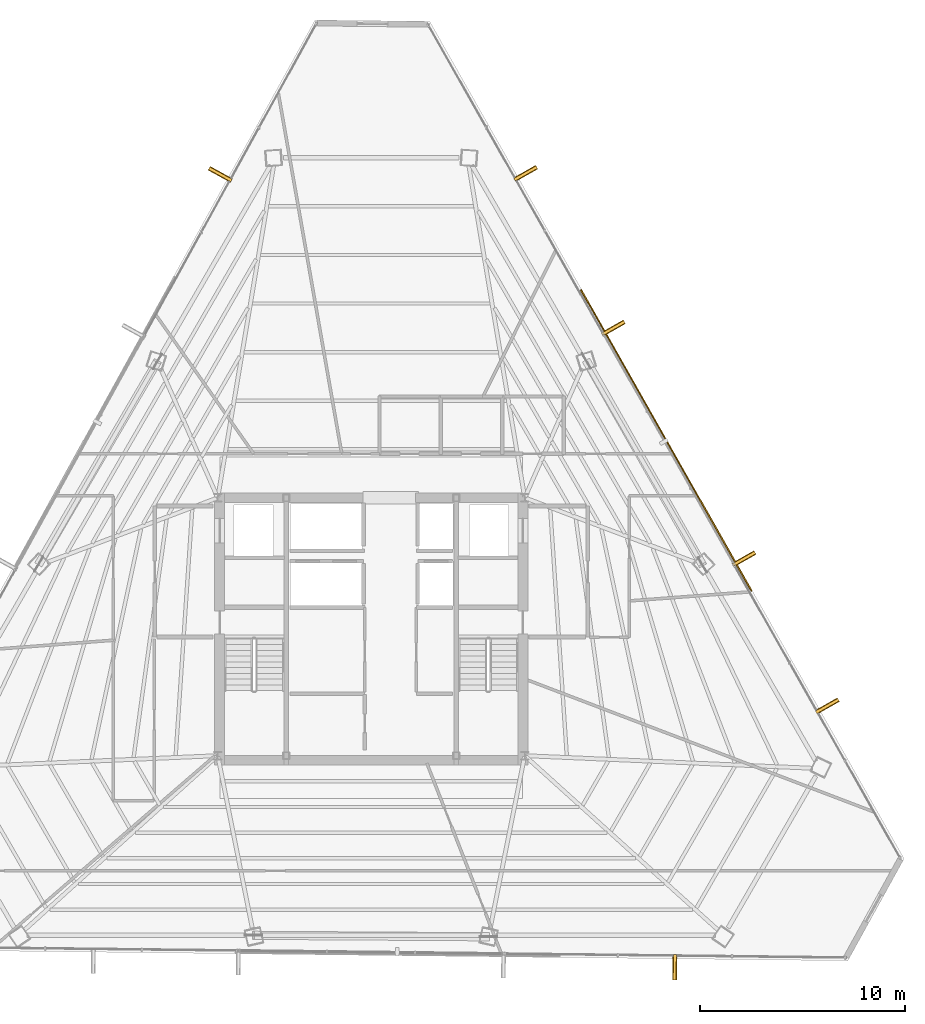
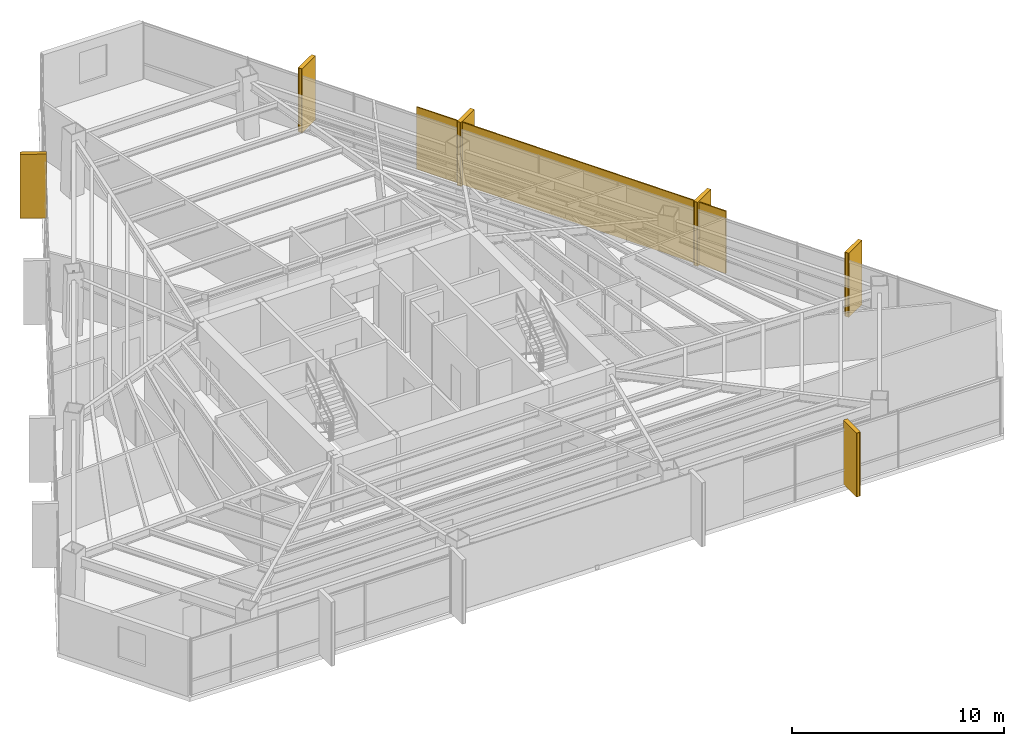
# One storey, part 40 of 40: 7 shading devices, 6 coverings.
"""IFC4 building model written with IfcOpenShell, lengths in metres."""

import ifcopenshell
import ifcopenshell.guid

model = None  # the IFC model being written
_history = None  # IfcOwnerHistory: only IFC2X3 demands one
_inside = {}  # id of a spatial element -> (the spatial element, [elements in it])
_under = {}  # id of a project, library or spatial element -> (it, [spatial elements below it])
_declared = {}  # id of a project -> (the project, [libraries it declares])
_typed = {}  # id of a type object -> (the type object, [elements of that type])
_made_of = {}  # id of a material, layer set ... -> (it, [elements and type objects made of it])


def new_model(schema):
    """Start an empty IFC model of exactly this schema.

    Asked for "IFC4X3", IfcOpenShell would pick the latest addendum, in which some entities
    have other attributes; the version numbers below select the first issue.
    IFC2X3 requires an IfcOwnerHistory on every rooted entity: one is made here for all.
    """
    global model, _history
    if schema == "IFC4X3":
        model = ifcopenshell.file(schema_version=(4, 3, 0, 0))
    else:
        model = ifcopenshell.file(schema=schema)
    _inside.clear()
    _under.clear()
    _declared.clear()
    _typed.clear()
    _made_of.clear()
    _history = None
    if model.schema == "IFC2X3":
        org = make("IfcOrganization", Name="unknown")
        user = make(
            "IfcPersonAndOrganization",
            ThePerson=make("IfcPerson", FamilyName="unknown"),
            TheOrganization=org,
        )
        app = make(
            "IfcApplication",
            ApplicationDeveloper=org,
            Version="unknown",
            ApplicationFullName="unknown",
            ApplicationIdentifier="unknown",
        )
        _history = make(
            "IfcOwnerHistory",
            OwningUser=user,
            OwningApplication=app,
            ChangeAction="ADDED",
            CreationDate=0,
        )
    return model


def make(cls, **values):
    """One entity of the class cls with the attributes given. An attribute that is None is left unset."""
    return model.create_entity(
        cls, **{name: value for name, value in values.items() if value is not None}
    )


def rooted(cls, **values):
    """An entity with a GlobalId (a new one), such as an element, a storey or a relation."""
    return make(cls, GlobalId=ifcopenshell.guid.new(), OwnerHistory=_history, **values)


def si_unit(unit_type, name, prefix=None):
    """IfcSIUnit, for example si_unit("LENGTHUNIT", "METRE", prefix="MILLI")."""
    return make("IfcSIUnit", UnitType=unit_type, Prefix=prefix, Name=name)


def assignment(units):
    """IfcUnitAssignment: the units of a project."""
    return None if units is None else make("IfcUnitAssignment", Units=units)


def point(xyz):
    """IfcCartesianPoint."""
    return None if xyz is None else make("IfcCartesianPoint", Coordinates=xyz)


def direction(xyz):
    """IfcDirection."""
    return None if xyz is None else make("IfcDirection", DirectionRatios=xyz)


def frame(location, z_axis=None, x_axis=None):
    """IfcAxis2Placement3D, a coordinate frame: its origin and axes. An axis left out is left unset."""
    return make(
        "IfcAxis2Placement3D",
        Location=point(location),
        Axis=direction(z_axis),
        RefDirection=direction(x_axis),
    )


def frame_2d(location, x_axis=None):
    """IfcAxis2Placement2D, a coordinate frame in the plane: its origin and x axis."""
    return make(
        "IfcAxis2Placement2D", Location=point(location), RefDirection=direction(x_axis)
    )


def origin():
    """The frame at (0, 0, 0) with its axes left unset."""
    return frame((0.0, 0.0, 0.0))


def origin_2d():
    """The frame at (0, 0) in the plane with its x axis left unset."""
    return frame_2d((0.0, 0.0))


def place(relative_to, where):
    """IfcLocalPlacement: puts the frame where relative to a parent placement (None: the world)."""
    return make(
        "IfcLocalPlacement", PlacementRelTo=relative_to, RelativePlacement=where
    )


def context(
    kind, dimensions, precision=None, world=None, true_north=None, identifier=None
):
    """IfcGeometricRepresentationContext, for example the 3D "Model" context."""
    return make(
        "IfcGeometricRepresentationContext",
        ContextIdentifier=identifier,
        ContextType=kind,
        CoordinateSpaceDimension=dimensions,
        Precision=precision,
        WorldCoordinateSystem=world,
        TrueNorth=true_north,
    )


def subcontext(parent, identifier, kind, view, scale=None):
    """IfcGeometricRepresentationSubContext, for example "Body" below "Model"."""
    return make(
        "IfcGeometricRepresentationSubContext",
        ContextIdentifier=identifier,
        ContextType=kind,
        ParentContext=parent,
        TargetScale=scale,
        TargetView=view,
    )


def project(units=None, contexts=None):
    """IfcProject with its units and contexts."""
    return rooted(
        "IfcProject",
        Name="project",
        RepresentationContexts=contexts,
        UnitsInContext=assignment(units),
    )


def spatial(cls, under=None, at=None, **own):
    """A site, building, storey or space (cls), placed at a placement, below another one or the project."""
    s = rooted(cls, ObjectPlacement=at, **own)
    if under is not None:
        _under.setdefault(under.id(), (under, []))[1].append(s)
    return s


def profile(cls, at=None, kind="AREA", **sizes):
    """A parametric profile (cls). Its sizes go by their IFC names, for example OverallWidth=200.0."""
    return make(cls, ProfileType=kind, Position=at, **sizes)


def rectangle(**sizes):
    """IfcRectangleProfileDef."""
    return profile("IfcRectangleProfileDef", **sizes)


def extrude(swept, where, along, depth):
    """IfcExtrudedAreaSolid: the profile swept, set in the frame where, extruded along a direction by depth."""
    return make(
        "IfcExtrudedAreaSolid",
        SweptArea=swept,
        Position=where,
        ExtrudedDirection=direction(along),
        Depth=depth,
    )


def shape(context_of_items, identifier, shape_type, items):
    """IfcShapeRepresentation: the items that make up one representation, for example the "Body"."""
    return make(
        "IfcShapeRepresentation",
        ContextOfItems=context_of_items,
        RepresentationIdentifier=identifier,
        RepresentationType=shape_type,
        Items=items,
    )


def source(mapping_origin, context_of_items, identifier, shape_type, items):
    """IfcRepresentationMap: a shape defined once, which mapped items show again and again."""
    return make(
        "IfcRepresentationMap",
        MappingOrigin=mapping_origin,
        MappedRepresentation=shape(context_of_items, identifier, shape_type, items),
    )


def transform(
    local_origin,
    x_axis=None,
    y_axis=None,
    z_axis=None,
    scale=None,
    scale2=None,
    scale3=None,
    uniform=True,
):
    """IfcCartesianTransformationOperator3D, or its non-uniform kind. x_axis, y_axis, z_axis: its Axis1, 2, 3."""
    if uniform:
        return make(
            "IfcCartesianTransformationOperator3D",
            Axis1=direction(x_axis),
            Axis2=direction(y_axis),
            LocalOrigin=point(local_origin),
            Scale=scale,
            Axis3=direction(z_axis),
        )
    return make(
        "IfcCartesianTransformationOperator3DnonUniform",
        Axis1=direction(x_axis),
        Axis2=direction(y_axis),
        LocalOrigin=point(local_origin),
        Scale=scale,
        Axis3=direction(z_axis),
        Scale2=scale2,
        Scale3=scale3,
    )


def mapped(mapping_source, mapping_target):
    """IfcMappedItem: shows the shape of a source again, moved by a transform."""
    return make(
        "IfcMappedItem", MappingSource=mapping_source, MappingTarget=mapping_target
    )


def material(Name=None, Category=None):
    """IfcMaterial."""
    return make("IfcMaterial", Name=Name, Category=Category)


def layer(
    of_material, thickness, ventilated=None, Name=None, Category=None, Priority=None
):
    """IfcMaterialLayer: one layer of a wall or slab, of a material (None: an air gap)."""
    return make(
        "IfcMaterialLayer",
        Material=of_material,
        LayerThickness=thickness,
        IsVentilated=ventilated,
        Name=Name,
        Category=Category,
        Priority=Priority,
    )


def layer_set(layers, Name=None):
    """IfcMaterialLayerSet."""
    return make("IfcMaterialLayerSet", MaterialLayers=layers, LayerSetName=Name)


def made_of(thing, what):
    """Note that an element or type object is made of a material, layer set ...; save() writes the relation."""
    if what is not None:
        _made_of.setdefault(what.id(), (what, []))[1].append(thing)
    return thing


def type_object(cls, material=None, **own):
    """A type object (cls), such as IfcWallType, which elements share."""
    return made_of(rooted(cls, **own), material)


def type_shapes(of_type, sources):
    """Give a type object the sources (RepresentationMaps) that its elements show as mapped items."""
    of_type.RepresentationMaps = sources


def element(
    cls,
    number,
    at=None,
    inside=None,
    cuts=None,
    type_object=None,
    material=None,
    context=None,
    identifier="Body",
    shape_type=None,
    held_by="IfcProductDefinitionShape",
    body=None,
    shapes=None,
    **own,
):
    """One element of the class cls, such as IfcWall. Its Tag is "e" and its number.

    at: its placement. inside: the storey or other place that contains it. cuts: it is an
    opening in that element (IfcRelVoidsElement). A single representation is given by context,
    identifier, shape_type and body (its items); several are given by shapes. held_by: the class
    of the entity that holds the representations. save() writes the other relations.
    """
    e = rooted(cls, Tag="e%d" % number, ObjectPlacement=at, **own)
    if body is not None:
        shapes = [shape(context, identifier, shape_type, body)]
    if shapes is not None:
        e.Representation = make(held_by, Representations=shapes)
    if inside is not None:
        _inside.setdefault(inside.id(), (inside, []))[1].append(e)
    if cuts is not None:
        rooted(
            "IfcRelVoidsElement", RelatingBuildingElement=cuts, RelatedOpeningElement=e
        )
    if type_object is not None:
        _typed.setdefault(type_object.id(), (type_object, []))[1].append(e)
    return made_of(e, material)


def aggregate(whole, parts):
    """IfcRelAggregates: a whole, such as a stair, and the parts it consists of."""
    return rooted("IfcRelAggregates", RelatingObject=whole, RelatedObjects=parts)


def save(model, path):
    """Write the relations noted so far, then the file.

    IfcRelAggregates (storeys below a building ...), IfcRelContainedInSpatialStructure (elements
    in a storey), IfcRelDefinesByType, IfcRelAssociatesMaterial and IfcRelDeclares: one each for
    every whole, place, type object, material and project.
    """
    for whole, parts in _under.values():
        aggregate(whole, parts)
    for where, things in _inside.values():
        rooted(
            "IfcRelContainedInSpatialStructure",
            RelatedElements=things,
            RelatingStructure=where,
        )
    for kind, things in _typed.values():
        rooted("IfcRelDefinesByType", RelatedObjects=things, RelatingType=kind)
    for what, things in _made_of.values():
        rooted("IfcRelAssociatesMaterial", RelatedObjects=things, RelatingMaterial=what)
    for by, libraries in _declared.values():
        rooted("IfcRelDeclares", RelatingContext=by, RelatedDefinitions=libraries)
    model.write(path)


model = new_model("IFC4")

# Units and contexts
model_context = context("Model", 3, precision=1e-05, world=origin(), true_north=direction((0.0, 1.0)))
body_context = subcontext(model_context, "Body", "Model", "MODEL_VIEW")
ifc_project = project(units=[si_unit("LENGTHUNIT", "METRE"), si_unit("AREAUNIT", "SQUARE_METRE"), si_unit("VOLUMEUNIT", "CUBIC_METRE"), si_unit("PLANEANGLEUNIT", "RADIAN"), si_unit("MASSUNIT", "GRAM", prefix="KILO")], contexts=[model_context])

# Site, building, storey
site_placement = place(None, origin())
site = spatial("IfcSite", under=ifc_project, at=site_placement, CompositionType="ELEMENT")
building_placement = place(site_placement, origin())
building = spatial("IfcBuilding", under=site, at=building_placement, Name="Caelisora Broadcast Tower", CompositionType="ELEMENT")
storey_placement = place(building_placement, frame((0.0, 0.0, 216.89990234375)))
storey = spatial("IfcBuildingStorey", under=building, at=storey_placement, Name="L57", CompositionType="ELEMENT", Elevation=216.89990234375)

# Coverings
ifc_material_1 = material(Name="Kiln-Fired Terracotta Spandrel Rainscreen Cladding", Category="ceramic")
ifc_layer_1 = layer(ifc_material_1, 0.044921875, Name="Kiln-Fired Terracotta Spandrel Rainscreen Cladding")
ifc_layer_set_1 = layer_set([ifc_layer_1], Name="Kiln-Fired Terracotta Spandrel Rainscreen Cladding")
covering_type = type_object("IfcCoveringType", Name="CL-1", PredefinedType="CLADDING", material=ifc_layer_set_1)
shared_shape_1 = source(origin(), body_context, "Body", "SweptSolid", [
    extrude(rectangle(XDim=0.219970703125, YDim=1.25, at=origin_2d()), origin(), (0.0, 0.0, 1.0), 3.68994140625),
])
type_shapes(covering_type, [shared_shape_1])
for number, where, z_axis, x_axis, name in (
    (1, (45.5439453125, 45.84912109375, -0.019775390625), (0.0, 0.0, 1.0), (0.492879209759, -0.870097744272, 0.0), "L57 vertical solar fin cladding #1-1"),
    (2, (49.82666015625, 38.289306640625, -0.019775390625), (0.0, 0.0, 1.0), (0.492879209759, -0.870097744272, 0.0), "L57 vertical solar fin cladding #1-2"),
    (3, (56.2119140625, 27.01806640625, -0.019775390625), (0.0, 0.0, 1.0), (0.492879209759, -0.870097744272, 0.0), "L57 vertical solar fin cladding #1-3"),
    (4, (60.28515625, 19.827880859375, -0.019775390625), (0.0, 0.0, 1.0), (0.492879209759, -0.870097744272, 0.0), "L57 vertical solar fin cladding #1-4"),
    (5, (52.830078125, 7.064453125, -0.019775390625), (0.0, 0.0, 1.0), (-0.99993365506, 0.011518918316, 0.0), "L57 vertical solar fin cladding #2-1"),
    (6, (30.62255859375, 45.802978515625, -0.019775390625), (0.0, 0.0, 1.0), (0.482823924874, 0.875717453046, 0.0), "L57 vertical solar fin cladding #3-4"),
):
    element("IfcCovering", number, at=place(storey_placement, frame(where, z_axis=z_axis, x_axis=x_axis)), inside=storey, type_object=covering_type, Name=name, PredefinedType="CLADDING", context=body_context, shape_type="MappedRepresentation", body=[
        mapped(shared_shape_1, transform((0.0, 0.0, 0.0), scale=1.0)),
    ])

# Shading devices
ifc_material_2 = material(Name="Extruded Terracotta Flaring Colonnade Fin", Category="ceramic")
ifc_layer_2 = layer(ifc_material_2, 0.139892578125, Name="Extruded Terracotta Flaring Colonnade Fin")
ifc_layer_set_2 = layer_set([ifc_layer_2], Name="Extruded Terracotta Flaring Colonnade Fin")
shading_device_type_1 = type_object("IfcShadingDeviceType", Name="FN-1", PredefinedType="USERDEFINED", material=ifc_layer_set_2)
shared_shape_2 = source(origin(), body_context, "Body", "SweptSolid", [
    extrude(rectangle(XDim=0.139892578125, YDim=1.25, at=origin_2d()), origin(), (0.0, 0.0, 1.0), 3.669921875),
])
type_shapes(shading_device_type_1, [shared_shape_2])
for number, where, z_axis, x_axis, name in (
    (7, (45.5439453125, 45.84912109375, -0.009765625), (0.0, 0.0, 1.0), (0.492879209759, -0.870097744272, 0.0), "L57 vertical terracotta fin #1-1"),
    (8, (49.82666015625, 38.289306640625, -0.009765625), (0.0, 0.0, 1.0), (0.492879209759, -0.870097744272, 0.0), "L57 vertical terracotta fin #1-2"),
    (9, (56.2119140625, 27.01806640625, -0.009765625), (0.0, 0.0, 1.0), (0.492879209759, -0.870097744272, 0.0), "L57 vertical terracotta fin #1-3"),
    (10, (60.28515625, 19.827880859375, -0.009765625), (0.0, 0.0, 1.0), (0.492879209759, -0.870097744272, 0.0), "L57 vertical terracotta fin #1-4"),
    (11, (52.830078125, 7.064453125, -0.009765625), (0.0, 0.0, 1.0), (-0.99993365506, 0.011518918316, 0.0), "L57 vertical terracotta fin #2-1"),
    (12, (30.62255859375, 45.802978515625, -0.009765625), (0.0, 0.0, 1.0), (0.482823924874, 0.875717453046, 0.0), "L57 vertical terracotta fin #3-4"),
):
    element("IfcShadingDevice", number, at=place(storey_placement, frame(where, z_axis=z_axis, x_axis=x_axis)), inside=storey, type_object=shading_device_type_1, Name=name, ObjectType="FIN", PredefinedType="USERDEFINED", context=body_context, shape_type="MappedRepresentation", body=[
        mapped(shared_shape_2, transform((0.0, 0.0, 0.0), scale=1.0)),
    ])
ifc_material_3 = material(Name="Perforated Glazed Terracotta Baguette Solar Screen", Category="ceramic")
ifc_layer_3 = layer(ifc_material_3, 0.06494140625, Name="Perforated Glazed Terracotta Baguette Solar Screen")
ifc_layer_set_3 = layer_set([ifc_layer_3], Name="Perforated Glazed Terracotta Baguette Solar Screen")
shading_device_type_2 = type_object("IfcShadingDeviceType", Name="SS-1", PredefinedType="USERDEFINED", material=ifc_layer_set_3)
shared_shape_3 = source(origin(), body_context, "Body", "SweptSolid", [
    extrude(rectangle(XDim=16.929931640625, YDim=0.06494140625, at=origin_2d()), origin(), (0.0, 0.0, 1.0), 3.590087890625),
])
type_shapes(shading_device_type_2, [shared_shape_3])
shading_device_placement = place(storey_placement, frame((52.417724609375, 32.802734375, 0.0), z_axis=(0.0, 0.0, 1.0), x_axis=(-0.492879209759, 0.870097744272, 0.0)))
element("IfcShadingDevice", 13, at=shading_device_placement, inside=storey, type_object=shading_device_type_2, Name="L57 perforated terracotta solar screen #3", ObjectType="SOLAR SCREEN", PredefinedType="USERDEFINED", context=body_context, shape_type="MappedRepresentation", body=[
    mapped(shared_shape_3, transform((0.0, 0.0, 0.0), scale=1.0)),
])

save(model, "model.ifc")
